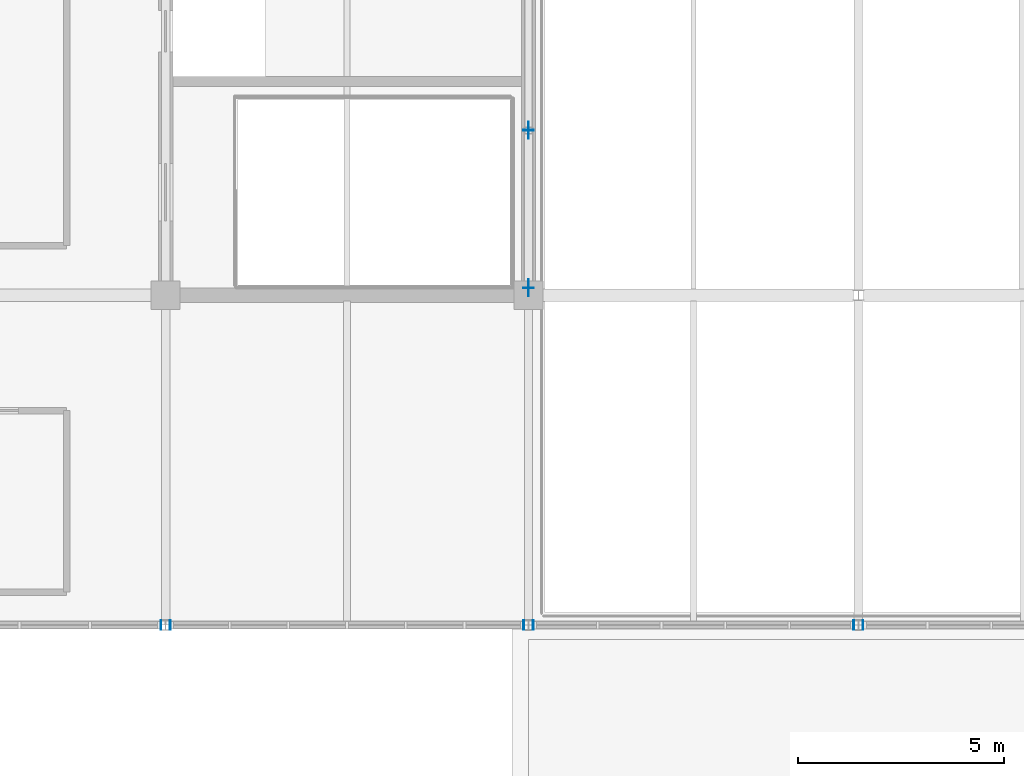
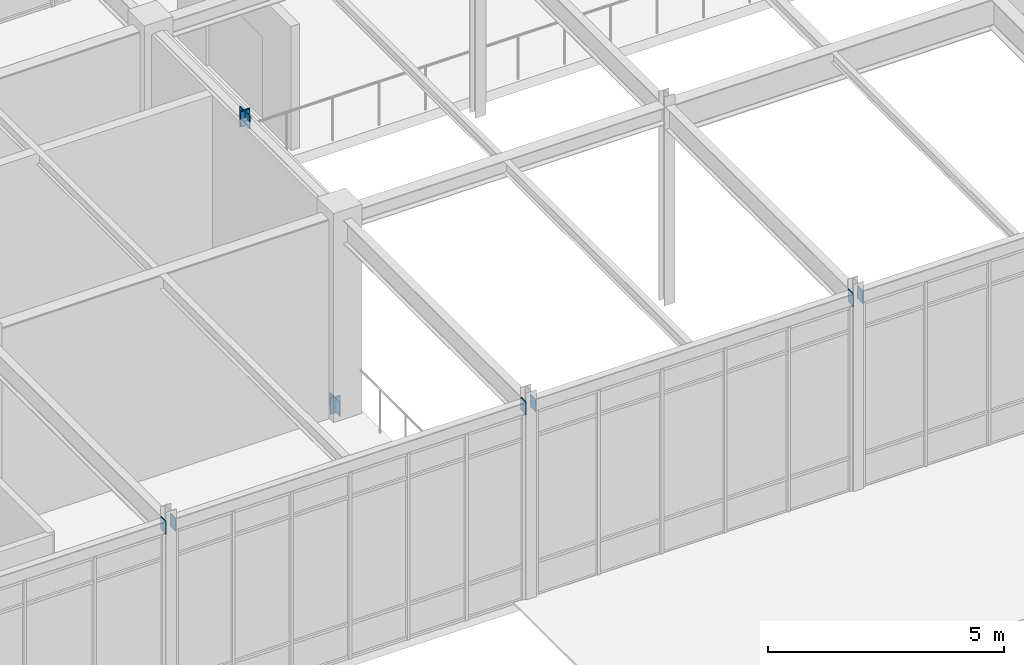
# One storey, part 107 of 184: 11 plates.
"""IFC4 building model written with IfcOpenShell, lengths in metres."""

from ifc_helpers import new_model, si_unit, direction, frame, origin, origin_2d, place, context, subcontext, project, spatial, rectangle, extrude, material, layer, layer_set, type_object, element, save


model = new_model("IFC4")

# Units and contexts
model_context = context("Model", 3, precision=1e-05, world=origin(), true_north=direction((0.0, 1.0)))
body_context = subcontext(model_context, "Body", "Model", "MODEL_VIEW")
ifc_project = project(units=[si_unit("LENGTHUNIT", "METRE"), si_unit("AREAUNIT", "SQUARE_METRE"), si_unit("VOLUMEUNIT", "CUBIC_METRE"), si_unit("PLANEANGLEUNIT", "RADIAN"), si_unit("MASSUNIT", "GRAM", prefix="KILO")], contexts=[model_context])

# Site, building, storey
site_placement = place(None, origin())
site = spatial("IfcSite", under=ifc_project, at=site_placement, CompositionType="ELEMENT")
building_placement = place(site_placement, origin())
building = spatial("IfcBuilding", under=site, at=building_placement, Name="Zhaolan Boulevard Law Courts", CompositionType="ELEMENT")
storey_placement = place(building_placement, frame((0.0, 0.0, 5.39990234375)))
storey = spatial("IfcBuildingStorey", under=building, at=storey_placement, Name="L01", CompositionType="ELEMENT", Elevation=5.39990234375)

# Plates
ifc_material_1 = material(Name="Structural steel Q355B", Category="steel")
ifc_layer_1 = layer(ifc_material_1, 0.02392578125)
ifc_layer_set_1 = layer_set([ifc_layer_1])
plate_type_1 = type_object("IfcPlateType", Name="BRACE GUSSET PLATE 24", PredefinedType="SHEET", material=ifc_layer_set_1)
for number, where, z_axis, x_axis, name in (
    (1, (44.0, 14.179931640625, -0.14990234375), (0.0, 0.0, 1.0), (0.0, 1.0, 0.0), "Brace Gusset Connection Plate GP-P1-L01-EA1"),
    (2, (44.0, 18.0, 4.93994140625), (0.0, 0.0, 1.0), (0.0, 1.0, 0.0), "Brace Gusset Connection Plate GP-P1-L01-EAPX"),
):
    element("IfcPlate", number, at=place(storey_placement, frame(where, z_axis=z_axis, x_axis=x_axis)), inside=storey, type_object=plate_type_1, Name=name, PredefinedType="SHEET", context=body_context, shape_type="SweptSolid", body=[
        extrude(rectangle(XDim=0.419921875, YDim=0.02392578125, at=origin_2d()), origin(), (0.0, 0.0, 1.0), 0.360107421875),
    ])
ifc_material_2 = material(Name="Structural steel Q355B", Category="steel")
ifc_layer_2 = layer(ifc_material_2, 0.02001953125)
ifc_layer_set_2 = layer_set([ifc_layer_2])
plate_type_2 = type_object("IfcPlateType", Name="END CAP PLATE 20", PredefinedType="SHEET", material=ifc_layer_set_2)
for number, where, z_axis, x_axis, name in (
    (3, (35.0869140625, 6.0, 4.822998046875), (0.0, 0.0, 1.0), (1.0, 0.0, 0.0), "Hollow Section End-Cap Plate ECP-0690"),
    (4, (35.31298828125, 6.0, 4.822998046875), (0.0, 0.0, 1.0), (1.0, 0.0, 0.0), "Hollow Section End-Cap Plate ECP-0691"),
    (5, (43.886962890625, 6.0, 4.822998046875), (0.0, 0.0, 1.0), (1.0, 0.0, 0.0), "Hollow Section End-Cap Plate ECP-0692"),
    (6, (44.113037109375, 6.0, 4.822998046875), (0.0, 0.0, 1.0), (1.0, 0.0, 0.0), "Hollow Section End-Cap Plate ECP-0693"),
    (7, (51.886962890625, 6.0, 4.822998046875), (0.0, 0.0, 1.0), (1.0, 0.0, 0.0), "Hollow Section End-Cap Plate ECP-0694"),
    (8, (52.113037109375, 6.0, 4.822998046875), (0.0, 0.0, 1.0), (1.0, 0.0, 0.0), "Hollow Section End-Cap Plate ECP-0695"),
):
    element("IfcPlate", number, at=place(storey_placement, frame(where, z_axis=z_axis, x_axis=x_axis)), inside=storey, type_object=plate_type_2, Name=name, PredefinedType="SHEET", context=body_context, shape_type="SweptSolid", body=[
        extrude(rectangle(XDim=0.02001953125, YDim=0.22998046875, at=origin_2d()), origin(), (0.0, 0.0, 1.0), 0.330078125),
    ])
for number, where, z_axis, x_axis, name in (
    (9, (44.0, 14.17529296875, -0.184326171875), (0.0, 0.0, 1.0), (0.0, 1.0, 0.0), "Hollow Section End-Cap Plate ECP-1243"),
    (10, (44.0, 18.0048828125, 4.91845703125), (0.0, 0.0, 1.0), (0.0, 1.0, 0.0), "Hollow Section End-Cap Plate ECP-1244"),
):
    element("IfcPlate", number, at=place(storey_placement, frame(where, z_axis=z_axis, x_axis=x_axis)), inside=storey, type_object=plate_type_2, Name=name, PredefinedType="SHEET", context=body_context, shape_type="SweptSolid", body=[
        extrude(rectangle(XDim=0.02001953125, YDim=0.25, at=origin_2d()), origin(), (0.0, 0.0, 1.0), 0.416015625),
    ])
plate_placement = place(storey_placement, frame((44.0, 17.9951171875, 4.93505859375), z_axis=(0.0, 0.0, 1.0), x_axis=(0.0, -1.0, 0.0)))
element("IfcPlate", 11, at=plate_placement, inside=storey, type_object=plate_type_2, Name="Hollow Section End-Cap Plate ECP-1246", PredefinedType="SHEET", context=body_context, shape_type="SweptSolid", body=[
    extrude(rectangle(XDim=0.02001953125, YDim=0.22998046875, at=origin_2d()), origin(), (0.0, 0.0, 1.0), 0.383056640625),
])

save(model, "model.ifc")
